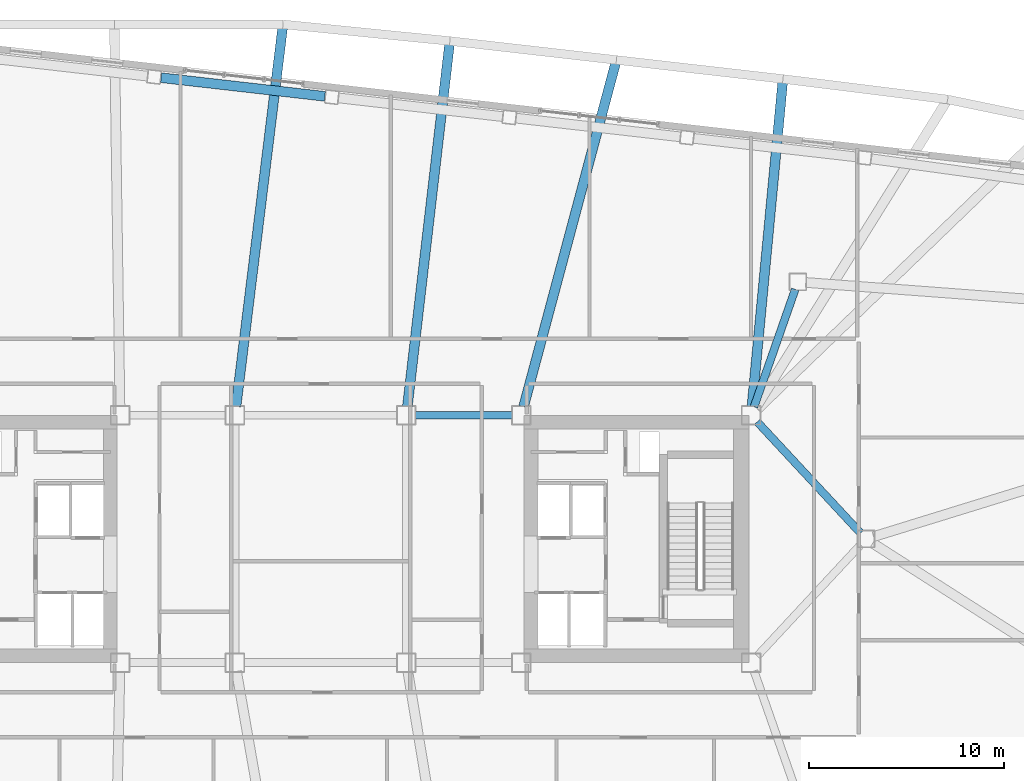
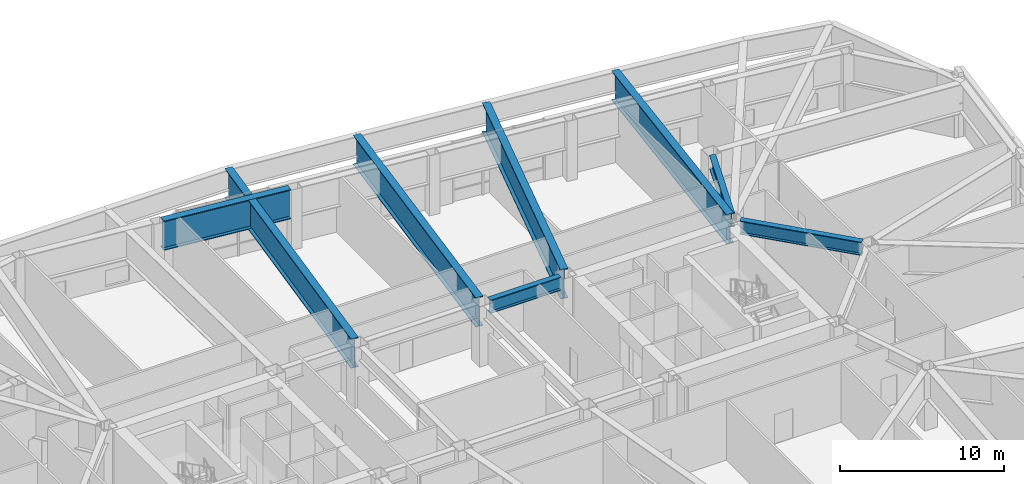
# One storey, part 7 of 19: 8 beams.
"""IFC4 building model written with IfcOpenShell, lengths in metres."""

from ifc_helpers import new_model, si_unit, direction, frame, origin, origin_2d, place, context, subcontext, project, spatial, i_section, extrude, material, material_profile, profile_set, type_object, element, save


model = new_model("IFC4")

# Units and contexts
model_context = context("Model", 3, precision=1e-05, world=origin(), true_north=direction((0.0, 1.0)))
body_context = subcontext(model_context, "Body", "Model", "MODEL_VIEW")
ifc_project = project(units=[si_unit("LENGTHUNIT", "METRE"), si_unit("AREAUNIT", "SQUARE_METRE"), si_unit("VOLUMEUNIT", "CUBIC_METRE"), si_unit("PLANEANGLEUNIT", "RADIAN"), si_unit("MASSUNIT", "GRAM", prefix="KILO")], contexts=[model_context])

# Site, building, storey
site_placement = place(None, origin())
site = spatial("IfcSite", under=ifc_project, at=site_placement, CompositionType="ELEMENT")
building_placement = place(site_placement, origin())
building = spatial("IfcBuilding", under=site, at=building_placement, Name="Tavrogorsk Clinical Tower", CompositionType="ELEMENT")
storey_placement = place(building_placement, frame((0.0, 0.0, 141.39990234375)))
storey = spatial("IfcBuildingStorey", under=building, at=storey_placement, Name="L32", CompositionType="ELEMENT", Elevation=141.39990234375)

# Beams
ifc_material_1 = material(Name="Structural steel S440", Category="steel")
ifc_material_profile_1 = material_profile(ifc_material_1, i_section(OverallWidth=0.39990234375, OverallDepth=1.0, WebThickness=0.028076171875, FlangeThickness=0.044921875, at=origin_2d()), Name="DK-1000x400x28x45")
ifc_profile_set_1 = profile_set([ifc_material_profile_1], Name="Structural steel S440")
beam_type_1 = type_object("IfcBeamType", Name="TransferGirder_DK1000", PredefinedType="USERDEFINED", material=ifc_profile_set_1)
beam_1_placement = place(storey_placement, frame((4.860107421875, 6.35009765625, 3.97998046875), z_axis=(1.0, 0.0, 0.0), x_axis=(0.0, 1.0, 0.0)))
element("IfcBeam", 1, at=beam_1_placement, inside=storey, type_object=beam_type_1, Name="L32 Primary Spine Girder MG-06", ObjectType="GIRDER", PredefinedType="USERDEFINED", context=body_context, shape_type="SweptSolid", body=[
    extrude(i_section(OverallWidth=0.39990234375, OverallDepth=1.0, WebThickness=0.028076171875, FlangeThickness=0.044921875, at=origin_2d()), origin(), (0.0, 0.0, 1.0), 4.97998046875),
])
beam_2_placement = place(storey_placement, frame((24.364501953125, 12.81298828125, 3.97998046875), z_axis=(-0.330660234815, -0.943749865755, 0.0), x_axis=(0.943749865755, -0.330660234815, 0.0)))
element("IfcBeam", 2, at=beam_2_placement, inside=storey, type_object=beam_type_1, Name="L32 Spine Link Girder OPG-4", ObjectType="GIRDER", PredefinedType="USERDEFINED", context=body_context, shape_type="SweptSolid", body=[
    extrude(i_section(OverallWidth=0.39990234375, OverallDepth=1.0, WebThickness=0.028076171875, FlangeThickness=0.044921875, at=origin_2d()), origin(), (0.0, 0.0, 1.0), 6.38818359375),
])
beam_3_placement = place(storey_placement, frame((27.720947265625, 0.30029296875, 3.97998046875), z_axis=(-0.680675630035, 0.732584934787, 0.0), x_axis=(-0.732584934787, -0.680675630035, 0.0)))
element("IfcBeam", 3, at=beam_3_placement, inside=storey, type_object=beam_type_1, Name="L32 Spine Link Girder OPG-8", ObjectType="GIRDER", PredefinedType="USERDEFINED", context=body_context, shape_type="SweptSolid", body=[
    extrude(i_section(OverallWidth=0.39990234375, OverallDepth=1.0, WebThickness=0.028076171875, FlangeThickness=0.044921875, at=origin_2d()), origin(), (0.0, 0.0, 1.0), 7.7978515625),
])
ifc_material_2 = material(Name="Structural steel S440", Category="steel")
ifc_material_profile_2 = material_profile(ifc_material_2, i_section(OverallWidth=0.5, OverallDepth=2.199951171875, WebThickness=0.035888671875, FlangeThickness=0.054931640625, at=origin_2d()), Name="DK-2200x500x36x55")
ifc_profile_set_2 = profile_set([ifc_material_profile_2], Name="Structural steel S440")
beam_type_2 = type_object("IfcBeamType", Name="TransferGirder_DK2200", PredefinedType="USERDEFINED", material=ifc_profile_set_2)
beam_4_placement = place(storey_placement, frame((0.2158203125, 22.724853515625, 3.380126953125), z_axis=(-0.993569819641, 0.113221082395, 0.0), x_axis=(-0.113221082395, -0.993569819641, 0.0)))
element("IfcBeam", 4, at=beam_4_placement, inside=storey, type_object=beam_type_2, Name="L32 Perimeter Spandrel N5-N6", ObjectType="GIRDER", PredefinedType="USERDEFINED", context=body_context, shape_type="SweptSolid", body=[
    extrude(i_section(OverallWidth=0.5, OverallDepth=2.199951171875, WebThickness=0.035888671875, FlangeThickness=0.054931640625, at=origin_2d()), origin(), (0.0, 0.0, 1.0), 8.46142578125),
])
beam_5_placement = place(storey_placement, frame((22.143310546875, 6.807861328125, 3.380126953125), z_axis=(0.094429036056, 0.995531595254, 0.0), x_axis=(-0.995531595254, 0.094429036056, 0.0)))
element("IfcBeam", 5, at=beam_5_placement, inside=storey, type_object=beam_type_2, Name="L33 Block Transfer Girder N2", ObjectType="GIRDER", PredefinedType="USERDEFINED", context=body_context, shape_type="SweptSolid", body=[
    extrude(i_section(OverallWidth=0.5, OverallDepth=2.199951171875, WebThickness=0.035888671875, FlangeThickness=0.054931640625, at=origin_2d()), origin(), (0.0, 0.0, 1.0), 16.885498046875),
])
beam_6_placement = place(storey_placement, frame((10.4189453125, 6.79443359375, 3.380126953125), z_axis=(0.258726371177, 0.965950653428, 0.0), x_axis=(-0.965950653428, 0.258726371177, 0.0)))
element("IfcBeam", 6, at=beam_6_placement, inside=storey, type_object=beam_type_2, Name="L33 Block Transfer Girder N3", ObjectType="GIRDER", PredefinedType="USERDEFINED", context=body_context, shape_type="SweptSolid", body=[
    extrude(i_section(OverallWidth=0.5, OverallDepth=2.199951171875, WebThickness=0.035888671875, FlangeThickness=0.054931640625, at=origin_2d()), origin(), (0.0, 0.0, 1.0), 18.42529296875),
])
beam_7_placement = place(storey_placement, frame((4.453125, 6.806884765625, 3.380126953125), z_axis=(0.115489586729, 0.99330869087, 0.0), x_axis=(-0.99330869087, 0.115489586729, 0.0)))
element("IfcBeam", 7, at=beam_7_placement, inside=storey, type_object=beam_type_2, Name="L33 Block Transfer Girder N4", ObjectType="GIRDER", PredefinedType="USERDEFINED", context=body_context, shape_type="SweptSolid", body=[
    extrude(i_section(OverallWidth=0.5, OverallDepth=2.199951171875, WebThickness=0.035888671875, FlangeThickness=0.054931640625, at=origin_2d()), origin(), (0.0, 0.0, 1.0), 18.88623046875),
])
beam_8_placement = place(storey_placement, frame((-4.34375, 6.806640625, 3.380126953125), z_axis=(0.12207600061, 0.992520755488, 0.0), x_axis=(-0.992520755488, 0.12207600061, 0.0)))
element("IfcBeam", 8, at=beam_8_placement, inside=storey, type_object=beam_type_2, Name="L33 Block Transfer Girder N5", ObjectType="GIRDER", PredefinedType="USERDEFINED", context=body_context, shape_type="SweptSolid", body=[
    extrude(i_section(OverallWidth=0.5, OverallDepth=2.199951171875, WebThickness=0.035888671875, FlangeThickness=0.054931640625, at=origin_2d()), origin(), (0.0, 0.0, 1.0), 19.760986328125),
])

save(model, "model.ifc")
